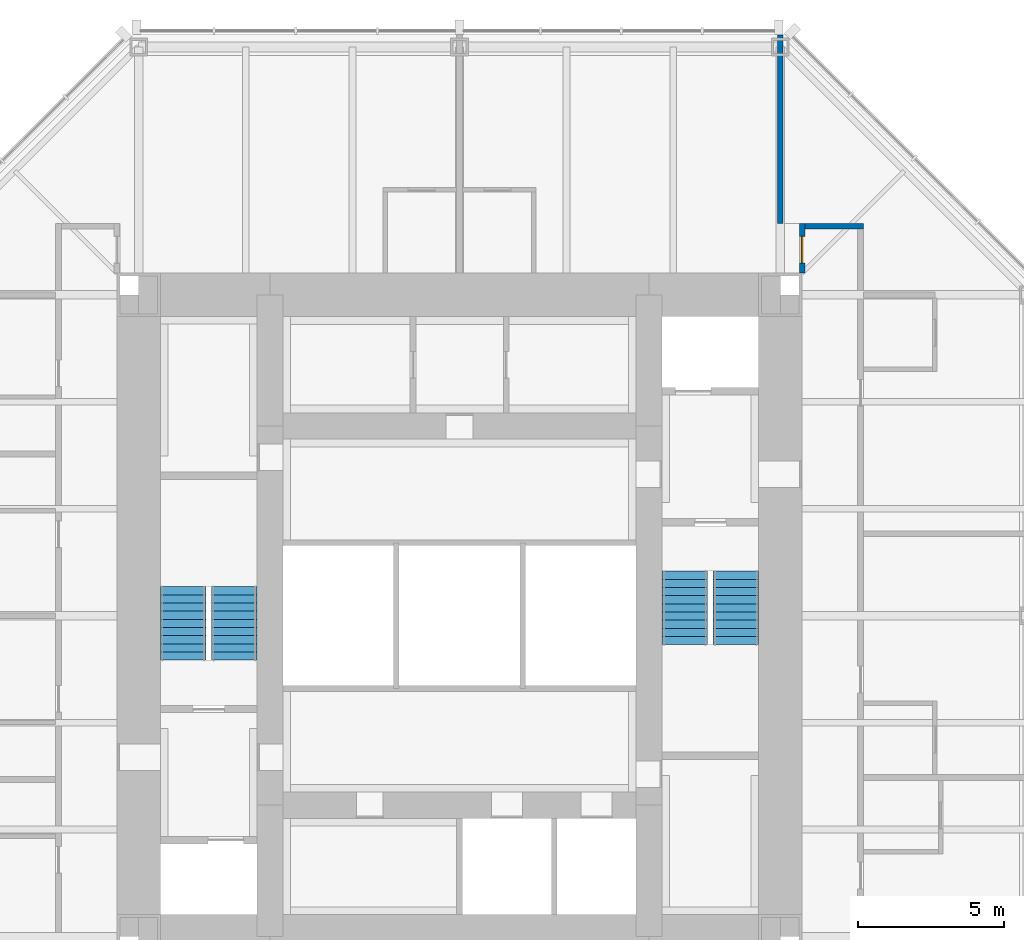
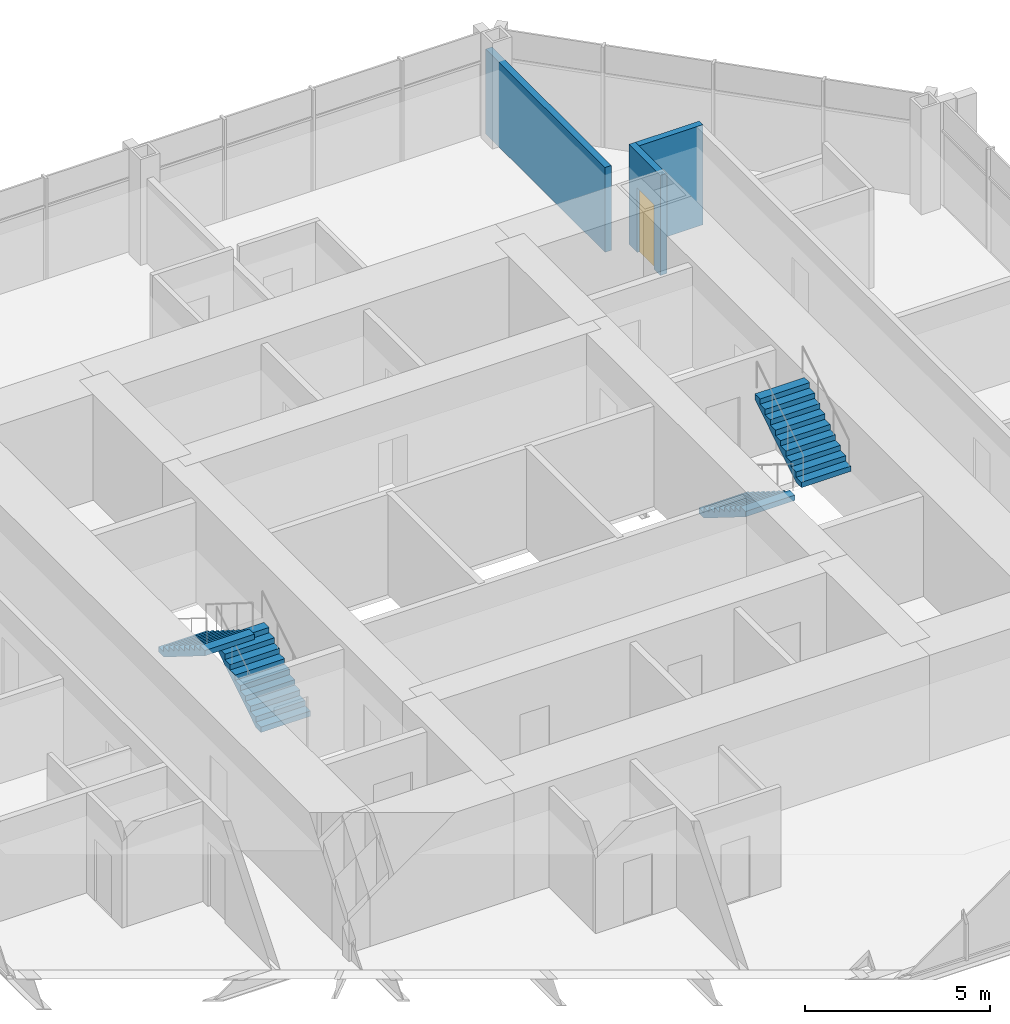
# One storey, part 10 of 11: 4 stair flights, 3 walls, 1 door, 1 opening, 2 elements without a shape of their own.
"""IFC4 building model written with IfcOpenShell, lengths in metres."""

from ifc_helpers import new_model, si_unit, direction, frame, frame_2d, origin, place, context, subcontext, project, spatial, polyline, rectangle, outline, extrude, material, layer, layer_set, type_object, element, fill, aggregate, save


model = new_model("IFC4")

# Units and contexts
model_context = context("Model", 3, precision=1e-05, world=origin(), true_north=direction((0.0, 1.0)))
body_context = subcontext(model_context, "Body", "Model", "MODEL_VIEW")
ifc_project = project(units=[si_unit("LENGTHUNIT", "METRE"), si_unit("AREAUNIT", "SQUARE_METRE"), si_unit("VOLUMEUNIT", "CUBIC_METRE"), si_unit("PLANEANGLEUNIT", "RADIAN"), si_unit("MASSUNIT", "GRAM", prefix="KILO")], contexts=[model_context])

# Site, building, storey
site_placement = place(None, origin())
site = spatial("IfcSite", under=ifc_project, at=site_placement, CompositionType="ELEMENT")
building_placement = place(site_placement, origin())
building = spatial("IfcBuilding", under=site, at=building_placement, Name="Trevanion Tower", CompositionType="ELEMENT")
storey_placement = place(building_placement, frame((0.0, 0.0, 229.199951171875)))
storey = spatial("IfcBuildingStorey", under=building, at=storey_placement, Name="L55", CompositionType="ELEMENT", Elevation=229.199951171875)

# Wall, opening, door
ifc_material_1 = material(Name="Concrete masonry, grouted", Category="masonry")
ifc_layer = layer(ifc_material_1, 0.199951171875)
ifc_layer_set = layer_set([ifc_layer], Name="PT2 partition 200 1 HR")
wall_type = type_object("IfcWallType", Name="PT2 partition 200 1 HR", PredefinedType="PARTITIONING", material=ifc_layer_set)
wall_1_placement = place(storey_placement, frame((11.75, 11.75, 0.0), z_axis=(0.0, 0.0, 1.0), x_axis=(0.0, 1.0, 0.0)))
wall_1 = element("IfcWall", 1, at=wall_1_placement, inside=storey, type_object=wall_type, Name="PT2 L55 HO1a", PredefinedType="PARTITIONING", context=body_context, shape_type="SweptSolid", body=[
    extrude(rectangle(XDim=1.699951171875, YDim=0.199951171875, at=frame_2d((0.85009765625, 0.0))), origin(), (0.0, 0.0, 1.0), 3.31005859375),
])
opening_placement = place(wall_1_placement, frame((0.342529296875, 0.0, 0.0)))
opening = element("IfcOpeningElement", 2, at=opening_placement, cuts=wall_1, Name="Opening 55-023", PredefinedType="OPENING", context=body_context, shape_type="SweptSolid", body=[
    extrude(rectangle(XDim=0.9150390625, YDim=2.134033203125, at=frame_2d((0.45751953125, 1.06689453125))), frame((0.0, 0.10986328125, 0.0), z_axis=(0.0, -1.0, 0.0), x_axis=(1.0, 0.0, 0.0)), (0.0, 0.0, 1.0), 0.219970703125),
])
ifc_material_2 = material(Name="Timber veneer, fire rated", Category="wood")
door_type = type_object("IfcDoorType", Name="D6 guest room entrance door", OperationType="SINGLE_SWING_LEFT", PredefinedType="DOOR", material=ifc_material_2)
door_placement = place(opening_placement, origin())
door = element("IfcDoor", 3, at=door_placement, inside=storey, type_object=door_type, Name="Door 55-023", OperationType="SINGLE_SWING_LEFT", OverallHeight=2.134033203125, OverallWidth=0.9150390625, PredefinedType="DOOR", context=body_context, shape_type="SweptSolid", body=[
    extrude(rectangle(XDim=0.9150390625, YDim=2.134033203125, at=frame_2d((0.45751953125, 1.06689453125))), frame((0.0, 0.02490234375, 0.0), z_axis=(0.0, -1.0, 0.0), x_axis=(1.0, 0.0, 0.0)), (0.0, 0.0, 1.0), 0.050048828125),
])
fill(opening, door)

# Walls
wall_2_placement = place(storey_placement, frame((13.85009765625, 13.35009765625, 0.0), z_axis=(0.0, 0.0, 1.0), x_axis=(-1.0, 0.0, 0.0)))
element("IfcWall", 4, at=wall_2_placement, inside=storey, type_object=wall_type, Name="PT2 L55 HC1ca", PredefinedType="PARTITIONING", context=body_context, shape_type="SweptSolid", body=[
    extrude(rectangle(XDim=2.0, YDim=0.199951171875, at=frame_2d((1.0, 0.0))), origin(), (0.0, 0.0, 1.0), 3.31005859375),
])
wall_3_placement = place(storey_placement, frame((11.0, 13.449951171875, 0.0), z_axis=(0.0, 0.0, 1.0), x_axis=(0.0, 1.0, 0.0)))
element("IfcWall", 5, at=wall_3_placement, inside=storey, type_object=wall_type, Name="PT2 L55 HD10", PredefinedType="PARTITIONING", context=body_context, shape_type="SweptSolid", body=[
    extrude(rectangle(XDim=6.465087890625, YDim=0.199951171875, at=frame_2d((3.232421875, 0.0))), origin(), (0.0, 0.0, 1.0), 2.802001953125),
])

# Stair, stair flights
ifc_material_3 = material(Name="Concrete 5,000 psi on steel stringers", Category="concrete")
stair_type = type_object("IfcStairType", Name="ST stair", PredefinedType="HALF_TURN_STAIR", material=ifc_material_3)
stair_1_placement = place(storey_placement, origin())
stair_1 = element("IfcStair", 6, at=stair_1_placement, inside=storey, type_object=stair_type, Name="ST1 L55", PredefinedType="HALF_TURN_STAIR")
ifc_material_4 = material(Name="Concrete 5,000 psi in steel pan", Category="concrete")
stair_flight_type = type_object("IfcStairFlightType", Name="STF stair flight", PredefinedType="STRAIGHT", material=ifc_material_4)
stair_flight_1_placement = place(storey_placement, frame((7.72509765625, 1.52490234375, 0.0), z_axis=(0.0, 0.0, 1.0), x_axis=(0.0, -1.0, 0.0)))
stair_flight_1 = element("IfcStairFlight", 7, at=stair_flight_1_placement, type_object=stair_flight_type, Name="ST1 flight 1", NumberOfRisers=10, NumberOfTreads=9, PredefinedType="STRAIGHT", RiserHeight=0.175, TreadLength=0.28, context=body_context, shape_type="SweptSolid", body=[
    extrude(outline(polyline([(0.0, 0.0), (0.0, 0.175048828125), (0.280029296875, 0.175048828125), (0.280029296875, 0.35009765625), (0.56005859375, 0.35009765625), (0.56005859375, 0.52490234375), (0.840087890625, 0.52490234375), (0.840087890625, 0.699951171875), (1.1201171875, 0.699951171875), (1.1201171875, 0.875), (1.39990234375, 0.875), (1.39990234375, 1.050048828125), (1.679931640625, 1.050048828125), (1.679931640625, 1.22509765625), (1.9599609375, 1.22509765625), (1.9599609375, 1.39990234375), (2.239990234375, 1.39990234375), (2.239990234375, 1.574951171875), (2.52001953125, 1.574951171875), (2.52001953125, 1.75), (2.52001953125, 1.398193359375), (0.28271484375, 0.0), (0.0, 0.0)])), frame((0.0, 0.77490234375, 0.0), z_axis=(0.0, -1.0, 0.0), x_axis=(1.0, 0.0, 0.0)), (0.0, 0.0, 1.0), 1.550048828125),
])
stair_flight_2_placement = place(storey_placement, frame((9.47509765625, -0.9951171875, 1.75), z_axis=(0.0, 0.0, 1.0), x_axis=(0.0, 1.0, 0.0)))
stair_flight_2 = element("IfcStairFlight", 8, at=stair_flight_2_placement, type_object=stair_flight_type, Name="ST1 flight 2", NumberOfRisers=10, NumberOfTreads=9, PredefinedType="STRAIGHT", RiserHeight=0.175, TreadLength=0.28, context=body_context, shape_type="SweptSolid", body=[
    extrude(outline(polyline([(0.0, 0.0), (0.0, 0.175048828125), (0.280029296875, 0.175048828125), (0.280029296875, 0.35009765625), (0.56005859375, 0.35009765625), (0.56005859375, 0.52490234375), (0.840087890625, 0.52490234375), (0.840087890625, 0.699951171875), (1.1201171875, 0.699951171875), (1.1201171875, 0.875), (1.39990234375, 0.875), (1.39990234375, 1.050048828125), (1.679931640625, 1.050048828125), (1.679931640625, 1.22509765625), (1.9599609375, 1.22509765625), (1.9599609375, 1.39990234375), (2.239990234375, 1.39990234375), (2.239990234375, 1.574951171875), (2.52001953125, 1.574951171875), (2.52001953125, 1.75), (2.52001953125, 1.398193359375), (0.28271484375, 0.0), (0.0, 0.0)])), frame((0.0, 0.77490234375, 0.0), z_axis=(0.0, -1.0, 0.0), x_axis=(1.0, 0.0, 0.0)), (0.0, 0.0, 1.0), 1.550048828125),
])
aggregate(stair_1, [stair_flight_1, stair_flight_2])

stair_2_placement = place(storey_placement, origin())
stair_2 = element("IfcStair", 9, at=stair_2_placement, inside=storey, type_object=stair_type, Name="ST2 L55", PredefinedType="HALF_TURN_STAIR")
stair_flight_3_placement = place(storey_placement, frame((-7.72509765625, -1.52490234375, 0.0), z_axis=(0.0, 0.0, 1.0), x_axis=(0.0, 1.0, 0.0)))
stair_flight_3 = element("IfcStairFlight", 10, at=stair_flight_3_placement, type_object=stair_flight_type, Name="ST2 flight 1", NumberOfRisers=10, NumberOfTreads=9, PredefinedType="STRAIGHT", RiserHeight=0.175, TreadLength=0.28, context=body_context, shape_type="SweptSolid", body=[
    extrude(outline(polyline([(0.0, 0.0), (0.0, 0.175048828125), (0.280029296875, 0.175048828125), (0.280029296875, 0.35009765625), (0.56005859375, 0.35009765625), (0.56005859375, 0.52490234375), (0.840087890625, 0.52490234375), (0.840087890625, 0.699951171875), (1.1201171875, 0.699951171875), (1.1201171875, 0.875), (1.39990234375, 0.875), (1.39990234375, 1.050048828125), (1.679931640625, 1.050048828125), (1.679931640625, 1.22509765625), (1.9599609375, 1.22509765625), (1.9599609375, 1.39990234375), (2.239990234375, 1.39990234375), (2.239990234375, 1.574951171875), (2.52001953125, 1.574951171875), (2.52001953125, 1.75), (2.52001953125, 1.398193359375), (0.28271484375, 0.0), (0.0, 0.0)])), frame((0.0, 0.77490234375, 0.0), z_axis=(0.0, -1.0, 0.0), x_axis=(1.0, 0.0, 0.0)), (0.0, 0.0, 1.0), 1.550048828125),
])
stair_flight_4_placement = place(storey_placement, frame((-9.47509765625, 0.9951171875, 1.75), z_axis=(0.0, 0.0, 1.0), x_axis=(0.0, -1.0, 0.0)))
stair_flight_4 = element("IfcStairFlight", 11, at=stair_flight_4_placement, type_object=stair_flight_type, Name="ST2 flight 2", NumberOfRisers=10, NumberOfTreads=9, PredefinedType="STRAIGHT", RiserHeight=0.175, TreadLength=0.28, context=body_context, shape_type="SweptSolid", body=[
    extrude(outline(polyline([(0.0, 0.0), (0.0, 0.175048828125), (0.280029296875, 0.175048828125), (0.280029296875, 0.35009765625), (0.56005859375, 0.35009765625), (0.56005859375, 0.52490234375), (0.840087890625, 0.52490234375), (0.840087890625, 0.699951171875), (1.1201171875, 0.699951171875), (1.1201171875, 0.875), (1.39990234375, 0.875), (1.39990234375, 1.050048828125), (1.679931640625, 1.050048828125), (1.679931640625, 1.22509765625), (1.9599609375, 1.22509765625), (1.9599609375, 1.39990234375), (2.239990234375, 1.39990234375), (2.239990234375, 1.574951171875), (2.52001953125, 1.574951171875), (2.52001953125, 1.75), (2.52001953125, 1.398193359375), (0.28271484375, 0.0), (0.0, 0.0)])), frame((0.0, 0.77490234375, 0.0), z_axis=(0.0, -1.0, 0.0), x_axis=(1.0, 0.0, 0.0)), (0.0, 0.0, 1.0), 1.550048828125),
])
aggregate(stair_2, [stair_flight_3, stair_flight_4])

save(model, "model.ifc")
